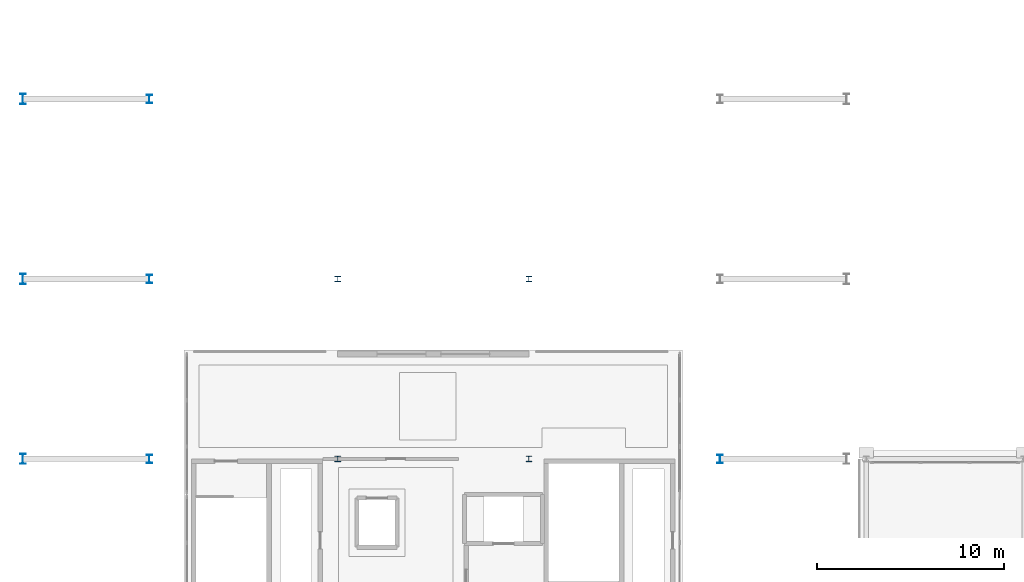
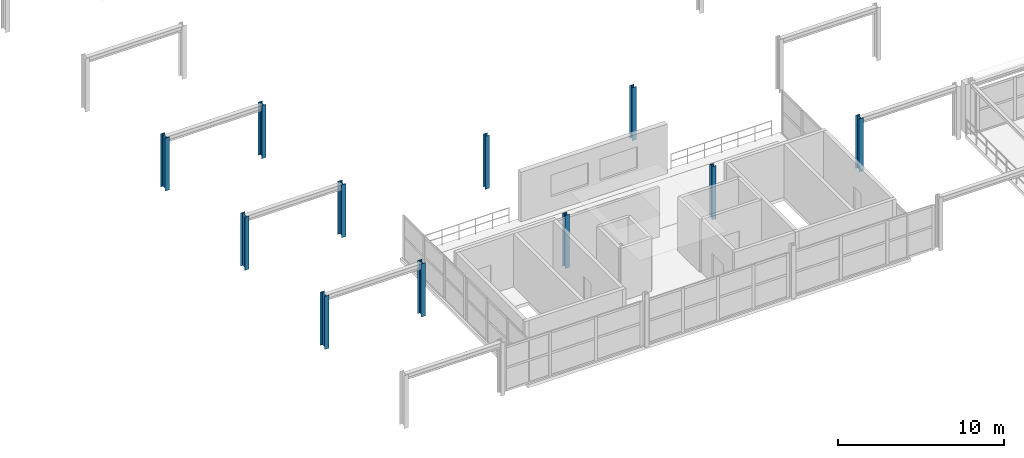
# One storey, part 3 of 52: 11 columns.
"""IFC4 building model written with IfcOpenShell, lengths in metres."""

from ifc_helpers import new_model, si_unit, direction, frame, origin, origin_2d, place, context, subcontext, project, spatial, i_section, extrude, material, material_profile, profile_set, type_object, element, save


model = new_model("IFC4")

# Units and contexts
model_context = context("Model", 3, precision=1e-05, world=origin(), true_north=direction((0.0, 1.0)))
body_context = subcontext(model_context, "Body", "Model", "MODEL_VIEW")
ifc_project = project(units=[si_unit("LENGTHUNIT", "METRE"), si_unit("AREAUNIT", "SQUARE_METRE"), si_unit("VOLUMEUNIT", "CUBIC_METRE"), si_unit("PLANEANGLEUNIT", "RADIAN"), si_unit("MASSUNIT", "GRAM", prefix="KILO")], contexts=[model_context])

# Site, building, storey
site_placement = place(None, origin())
site = spatial("IfcSite", under=ifc_project, at=site_placement, CompositionType="ELEMENT")
building_placement = place(site_placement, origin())
building = spatial("IfcBuilding", under=site, at=building_placement, Name="Myrtia Square Station", CompositionType="ELEMENT")
storey_placement = place(building_placement, frame((0.0, 0.0, 15.0)))
storey = spatial("IfcBuildingStorey", under=building, at=storey_placement, Name="L03", CompositionType="ELEMENT", Elevation=15.0)

# Columns
ifc_material = material(Name="Steel S355", Category="steel")
ifc_material_profile_1 = material_profile(ifc_material, i_section(OverallWidth=0.300048828125, OverallDepth=0.5400390625, WebThickness=0.012451171875, FlangeThickness=0.02392578125, FilletRadius=0.027099609375, at=origin_2d()), Name="HEA 550")
ifc_profile_set_1 = profile_set([ifc_material_profile_1], Name="Steel S355")
column_type_1 = type_object("IfcColumnType", Name="COL-HEA550", PredefinedType="COLUMN", material=ifc_profile_set_1)
for number, where, z_axis, x_axis, name in (
    (1, (72.60009765625, 38.39990234375, 0.0), (0.0, 0.0, 1.0), (1.0, 0.0, 0.0), "Column L03-0267"),
    (2, (72.60009765625, 48.0, 0.0), (0.0, 0.0, 1.0), (1.0, 0.0, 0.0), "Column L03-0289"),
    (3, (72.60009765625, 57.60009765625, 0.0), (0.0, 0.0, 1.0), (1.0, 0.0, 0.0), "Column L03-0311"),
):
    element("IfcColumn", number, at=place(storey_placement, frame(where, z_axis=z_axis, x_axis=x_axis)), inside=storey, type_object=column_type_1, Name=name, PredefinedType="COLUMN", context=body_context, shape_type="SweptSolid", body=[
        extrude(i_section(OverallWidth=0.300048828125, OverallDepth=0.5400390625, WebThickness=0.012451171875, FlangeThickness=0.02392578125, FilletRadius=0.027099609375, at=origin_2d()), origin(), (0.0, 0.0, 1.0), 3.89990234375),
    ])
ifc_material_profile_2 = material_profile(ifc_material, i_section(OverallWidth=0.300048828125, OverallDepth=0.300048828125, WebThickness=0.010986328125, FlangeThickness=0.01904296875, FilletRadius=0.027099609375, at=origin_2d()), Name="HEB 300")
ifc_profile_set_2 = profile_set([ifc_material_profile_2], Name="Steel S355")
column_type_2 = type_object("IfcColumnType", Name="COL-HEB300", PredefinedType="COLUMN", material=ifc_profile_set_2)
for number, where, z_axis, x_axis, name in (
    (4, (89.39990234375, 38.39990234375, 0.0), (0.0, 0.0, 1.0), (1.0, 0.0, 0.0), "Column L03-0426"),
    (5, (89.39990234375, 48.0, 0.0), (0.0, 0.0, 1.0), (1.0, 0.0, 0.0), "Column L03-0431"),
    (6, (99.60009765625, 38.39990234375, 0.0), (0.0, 0.0, 1.0), (1.0, 0.0, 0.0), "Column L03-0458"),
    (7, (99.60009765625, 48.0, 0.0), (0.0, 0.0, 1.0), (1.0, 0.0, 0.0), "Column L03-0463"),
):
    element("IfcColumn", number, at=place(storey_placement, frame(where, z_axis=z_axis, x_axis=x_axis)), inside=storey, type_object=column_type_2, Name=name, PredefinedType="COLUMN", context=body_context, shape_type="SweptSolid", body=[
        extrude(i_section(OverallWidth=0.300048828125, OverallDepth=0.300048828125, WebThickness=0.010986328125, FlangeThickness=0.01904296875, FilletRadius=0.027099609375, at=origin_2d()), origin(), (0.0, 0.0, 1.0), 3.89990234375),
    ])
ifc_material_profile_3 = material_profile(ifc_material, i_section(OverallWidth=0.300048828125, OverallDepth=0.449951171875, WebThickness=0.013916015625, FlangeThickness=0.02587890625, FilletRadius=0.027099609375, at=origin_2d()), Name="HEB 450")
ifc_profile_set_3 = profile_set([ifc_material_profile_3], Name="Steel S355")
column_type_3 = type_object("IfcColumnType", Name="COL-HEB450", PredefinedType="COLUMN", material=ifc_profile_set_3)
for number, where, z_axis, x_axis, name in (
    (8, (79.35009765625, 38.39990234375, 0.0), (0.0, 0.0, 1.0), (1.0, 0.0, 0.0), "Column L03-0277"),
    (9, (109.800048828125, 38.39990234375, 0.0), (0.0, 0.0, 1.0), (1.0, 0.0, 0.0), "Column L03-0283"),
    (10, (79.35009765625, 48.0, 0.0), (0.0, 0.0, 1.0), (1.0, 0.0, 0.0), "Column L03-0299"),
    (11, (79.35009765625, 57.60009765625, 0.0), (0.0, 0.0, 1.0), (1.0, 0.0, 0.0), "Column L03-0321"),
):
    element("IfcColumn", number, at=place(storey_placement, frame(where, z_axis=z_axis, x_axis=x_axis)), inside=storey, type_object=column_type_3, Name=name, PredefinedType="COLUMN", context=body_context, shape_type="SweptSolid", body=[
        extrude(i_section(OverallWidth=0.300048828125, OverallDepth=0.449951171875, WebThickness=0.013916015625, FlangeThickness=0.02587890625, FilletRadius=0.027099609375, at=origin_2d()), origin(), (0.0, 0.0, 1.0), 3.89990234375),
    ])

save(model, "model.ifc")
